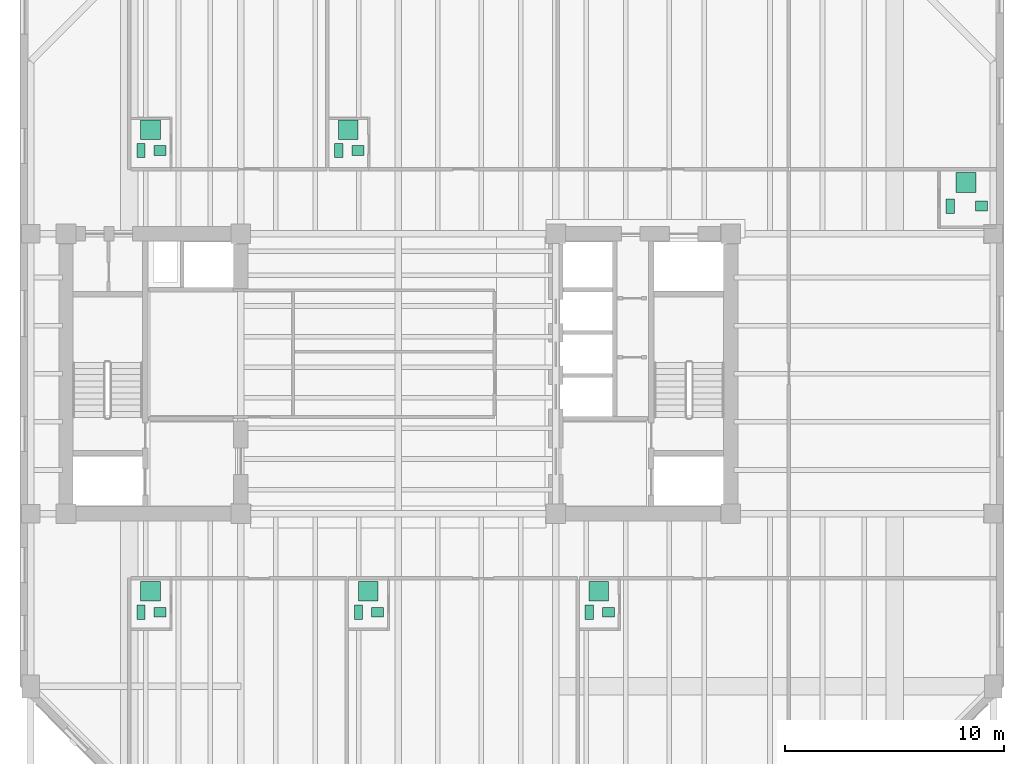
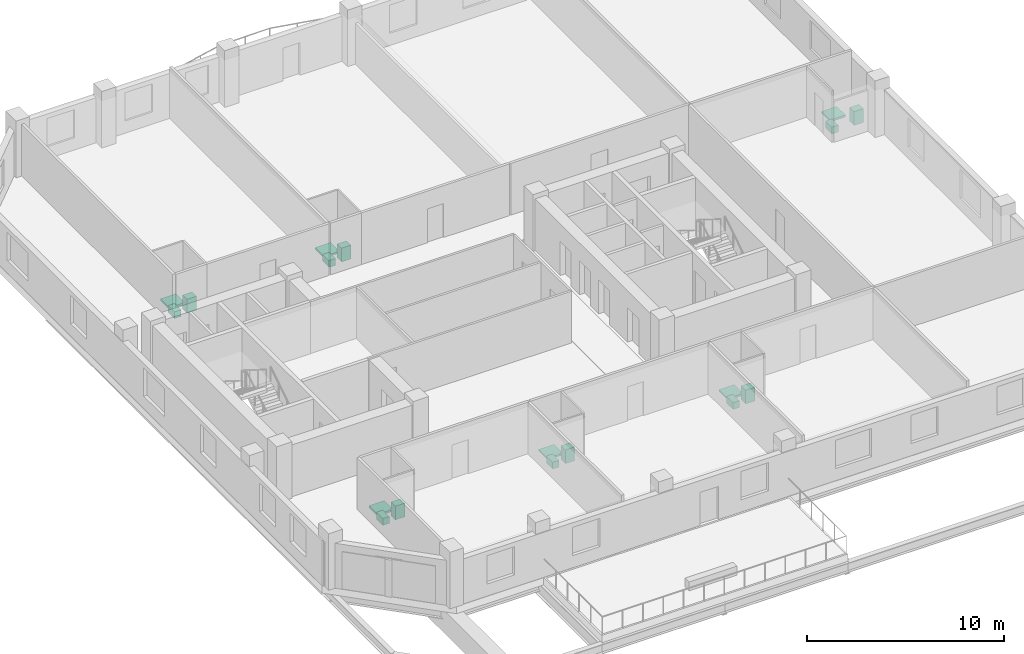
# One storey, part 10 of 10: 18 sanitary terminals.
"""IFC4 building model written with IfcOpenShell, lengths in metres."""

from ifc_helpers import new_model, si_unit, direction, frame, origin, origin_2d, place, context, subcontext, project, spatial, rectangle, extrude, material, type_object, element, save


model = new_model("IFC4")

# Units and contexts
model_context = context("Model", 3, precision=1e-05, world=origin(), true_north=direction((0.0, 1.0)))
body_context = subcontext(model_context, "Body", "Model", "MODEL_VIEW")
ifc_project = project(units=[si_unit("LENGTHUNIT", "METRE"), si_unit("AREAUNIT", "SQUARE_METRE"), si_unit("VOLUMEUNIT", "CUBIC_METRE"), si_unit("PLANEANGLEUNIT", "RADIAN"), si_unit("MASSUNIT", "GRAM", prefix="KILO")], contexts=[model_context])

# Site, building, storey
site_placement = place(None, origin())
site = spatial("IfcSite", under=ifc_project, at=site_placement, CompositionType="ELEMENT")
building_placement = place(site_placement, origin())
building = spatial("IfcBuilding", under=site, at=building_placement, Name="Kranthara Brick Stack", CompositionType="ELEMENT")
storey_placement = place(building_placement, frame((0.0, 0.0, 162.300048828125)))
storey = spatial("IfcBuildingStorey", under=building, at=storey_placement, Name="L41", CompositionType="ELEMENT", Elevation=162.300048828125)

# Sanitary terminals
ifc_material_1 = material(Name="Vitreous china sanitary porcelain", Category="other")
sanitary_terminal_type_1 = type_object("IfcSanitaryTerminalType", Name="SAN-BASIN", PredefinedType="WASHHANDBASIN", material=ifc_material_1)
for number, where, z_axis, x_axis, name in (
    (1, (17.110107421875, 16.294921875, 0.0), (0.0, 0.0, 1.0), (1.0, 0.0, 0.0), "L41 Washbasin 201"),
    (2, (27.05908203125, 16.294921875, 0.0), (0.0, 0.0, 1.0), (1.0, 0.0, 0.0), "L41 Washbasin 202"),
    (3, (37.612060546875, 16.294921875, 0.0), (0.0, 0.0, 1.0), (1.0, 0.0, 0.0), "L41 Washbasin 203"),
    (4, (17.110107421875, 37.405029296875, 0.0), (0.0, 0.0, 1.0), (1.0, 0.0, 0.0), "L41 Washbasin 204"),
    (5, (26.155029296875, 37.405029296875, 0.0), (0.0, 0.0, 1.0), (1.0, 0.0, 0.0), "L41 Washbasin 205"),
    (6, (54.679931640625, 34.864990234375, 0.0), (0.0, 0.0, 1.0), (1.0, 0.0, 0.0), "L41 Washbasin 206"),
):
    element("IfcSanitaryTerminal", number, at=place(storey_placement, frame(where, z_axis=z_axis, x_axis=x_axis)), inside=storey, type_object=sanitary_terminal_type_1, Name=name, PredefinedType="WASHHANDBASIN", context=body_context, shape_type="SweptSolid", body=[
        extrude(rectangle(XDim=0.550048828125, YDim=0.449951171875, at=origin_2d()), origin(), (0.0, 0.0, 1.0), 0.85009765625),
    ])
ifc_material_2 = material(Name="Acrylic and porcelain shower tray", Category="other")
sanitary_terminal_type_2 = type_object("IfcSanitaryTerminalType", Name="SAN-SHOWER", PredefinedType="SHOWER", material=ifc_material_2)
for number, where, z_axis, x_axis, name in (
    (7, (16.669921875, 17.25, 0.0), (0.0, 0.0, 1.0), (1.0, 0.0, 0.0), "L41 Shower Tray 201"),
    (8, (26.618896484375, 17.25, 0.0), (0.0, 0.0, 1.0), (1.0, 0.0, 0.0), "L41 Shower Tray 202"),
    (9, (37.172119140625, 17.25, 0.0), (0.0, 0.0, 1.0), (1.0, 0.0, 0.0), "L41 Shower Tray 203"),
    (10, (16.669921875, 38.360107421875, 0.0), (0.0, 0.0, 1.0), (1.0, 0.0, 0.0), "L41 Shower Tray 204"),
    (11, (25.715087890625, 38.360107421875, 0.0), (0.0, 0.0, 1.0), (1.0, 0.0, 0.0), "L41 Shower Tray 205"),
    (12, (53.9599609375, 35.949951171875, 0.0), (0.0, 0.0, 1.0), (1.0, 0.0, 0.0), "L41 Shower Tray 206"),
):
    element("IfcSanitaryTerminal", number, at=place(storey_placement, frame(where, z_axis=z_axis, x_axis=x_axis)), inside=storey, type_object=sanitary_terminal_type_2, Name=name, PredefinedType="SHOWER", context=body_context, shape_type="SweptSolid", body=[
        extrude(rectangle(XDim=0.89990234375, YDim=0.89990234375, at=origin_2d()), origin(), (0.0, 0.0, 1.0), 0.1201171875),
    ])
ifc_material_3 = material(Name="Vitreous china sanitary porcelain", Category="other")
sanitary_terminal_type_3 = type_object("IfcSanitaryTerminalType", Name="SAN-WC-PAN", PredefinedType="TOILETPAN", material=ifc_material_3)
for number, where, z_axis, x_axis, name in (
    (13, (16.22998046875, 16.294921875, 0.0), (0.0, 0.0, 1.0), (1.0, 0.0, 0.0), "L41 WC Pan 201"),
    (14, (26.178955078125, 16.294921875, 0.0), (0.0, 0.0, 1.0), (1.0, 0.0, 0.0), "L41 WC Pan 202"),
    (15, (36.73193359375, 16.294921875, 0.0), (0.0, 0.0, 1.0), (1.0, 0.0, 0.0), "L41 WC Pan 203"),
    (16, (16.22998046875, 37.405029296875, 0.0), (0.0, 0.0, 1.0), (1.0, 0.0, 0.0), "L41 WC Pan 204"),
    (17, (25.27490234375, 37.405029296875, 0.0), (0.0, 0.0, 1.0), (1.0, 0.0, 0.0), "L41 WC Pan 205"),
    (18, (53.239990234375, 34.864990234375, 0.0), (0.0, 0.0, 1.0), (1.0, 0.0, 0.0), "L41 WC Pan 206"),
):
    element("IfcSanitaryTerminal", number, at=place(storey_placement, frame(where, z_axis=z_axis, x_axis=x_axis)), inside=storey, type_object=sanitary_terminal_type_3, Name=name, PredefinedType="TOILETPAN", context=body_context, shape_type="SweptSolid", body=[
        extrude(rectangle(XDim=0.3798828125, YDim=0.64990234375, at=origin_2d()), origin(), (0.0, 0.0, 1.0), 0.419921875),
    ])

save(model, "model.ifc")
